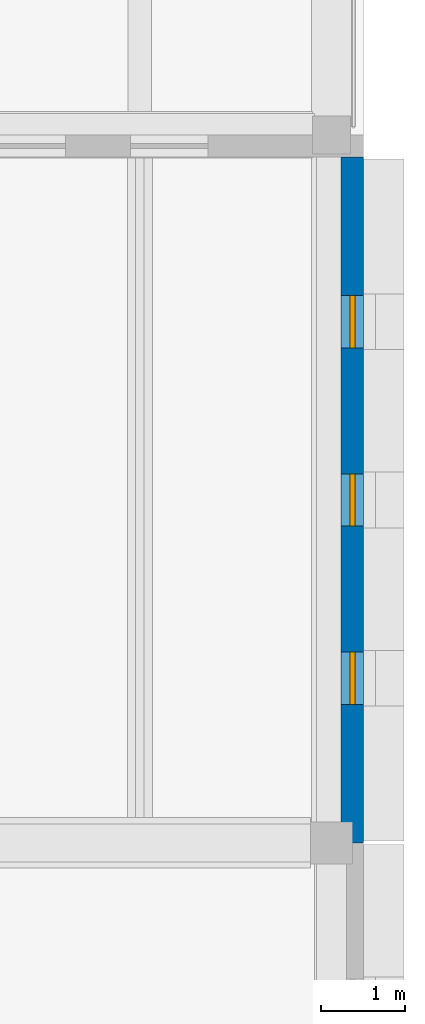
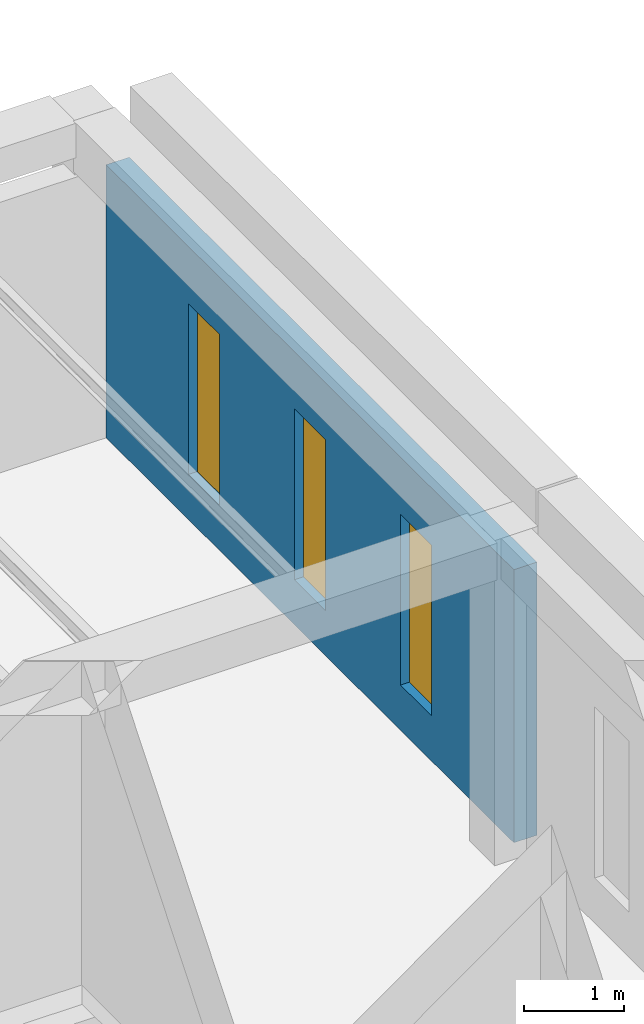
# One storey, part 26 of 34: 3 windows, 1 wall, 3 openings.
"""IFC4 building model written with IfcOpenShell, lengths in metres."""

from ifc_helpers import new_model, si_unit, direction, frame, frame_2d, origin, place, context, subcontext, project, spatial, rectangle, extrude, material, layer, layer_set, type_object, element, fill, save


model = new_model("IFC4")

# Units and contexts
model_context = context("Model", 3, precision=1e-05, world=origin(), true_north=direction((0.0, 1.0)))
body_context = subcontext(model_context, "Body", "Model", "MODEL_VIEW")
ifc_project = project(units=[si_unit("LENGTHUNIT", "METRE"), si_unit("AREAUNIT", "SQUARE_METRE"), si_unit("VOLUMEUNIT", "CUBIC_METRE"), si_unit("PLANEANGLEUNIT", "RADIAN"), si_unit("MASSUNIT", "GRAM", prefix="KILO")], contexts=[model_context])

# Site, building, storey
site_placement = place(None, origin())
site = spatial("IfcSite", under=ifc_project, at=site_placement, CompositionType="ELEMENT")
building_placement = place(site_placement, origin())
building = spatial("IfcBuilding", under=site, at=building_placement, Name="Vardoun Plaza Health Centre", CompositionType="ELEMENT")
storey_placement = place(building_placement, frame((0.0, 0.0, 12.89990234375)))
storey = spatial("IfcBuildingStorey", under=building, at=storey_placement, Name="L03", CompositionType="ELEMENT", Elevation=12.89990234375)

# Wall, openings, windows
ifc_material_1 = material(Name="Pale Limestone Concrete C35/45", Category="masonry")
ifc_layer = layer(ifc_material_1, 0.264892578125)
ifc_layer_set = layer_set([ifc_layer], Name="Pale Limestone Concrete C35/45")
wall_type = type_object("IfcWallType", Name="EW-06", PredefinedType="STANDARD", material=ifc_layer_set)
wall_placement = place(storey_placement, frame((165.16748046875, 52.8349609375, 0.0), z_axis=(0.0, 0.0, 1.0), x_axis=(0.0, -1.0, 0.0)))
wall = element("IfcWall", 1, at=wall_placement, inside=storey, type_object=wall_type, Name="V6 L03 Exterior Wall EW-V6-447", PredefinedType="STANDARD", context=body_context, shape_type="SweptSolid", body=[
    extrude(rectangle(XDim=8.135009765625, YDim=0.264892578125, at=frame_2d((4.0673828125, 0.0))), origin(), (0.0, 0.0, 1.0), 3.3251953125),
])
opening_1_placement = place(wall_placement, frame((1.642333984375, 0.0, 0.550048828125)))
opening_1 = element("IfcOpeningElement", 2, at=opening_1_placement, cuts=wall, Name="Opening W-21-017", PredefinedType="OPENING", context=body_context, shape_type="SweptSolid", body=[
    extrude(rectangle(XDim=0.6201171875, YDim=2.080078125, at=frame_2d((0.31005859375, 1.0400390625))), frame((0.0, 0.13232421875, 0.0), z_axis=(0.0, -1.0, 0.0), x_axis=(1.0, 0.0, 0.0)), (0.0, 0.0, 1.0), 0.264892578125),
])
opening_2_placement = place(wall_placement, frame((3.757568359375, 0.0, 0.550048828125)))
opening_2 = element("IfcOpeningElement", 3, at=opening_2_placement, cuts=wall, Name="Opening W-21-018", PredefinedType="OPENING", context=body_context, shape_type="SweptSolid", body=[
    extrude(rectangle(XDim=0.6201171875, YDim=2.080078125, at=frame_2d((0.31005859375, 1.0400390625))), frame((0.0, 0.13232421875, 0.0), z_axis=(0.0, -1.0, 0.0), x_axis=(1.0, 0.0, 0.0)), (0.0, 0.0, 1.0), 0.264892578125),
])
opening_3_placement = place(wall_placement, frame((5.87255859375, 0.0, 0.550048828125)))
opening_3 = element("IfcOpeningElement", 4, at=opening_3_placement, cuts=wall, Name="Opening W-21-019", PredefinedType="OPENING", context=body_context, shape_type="SweptSolid", body=[
    extrude(rectangle(XDim=0.6201171875, YDim=2.080078125, at=frame_2d((0.31005859375, 1.0400390625))), frame((0.0, 0.13232421875, 0.0), z_axis=(0.0, -1.0, 0.0), x_axis=(1.0, 0.0, 0.0)), (0.0, 0.0, 1.0), 0.264892578125),
])
ifc_material_2 = material(Name="Aluminium Alloy EN AW-6063-T6 and Low-E Glass", Category="aluminium")
window_type = type_object("IfcWindowType", Name="W-21", PartitioningType="SINGLE_PANEL", PredefinedType="WINDOW", material=ifc_material_2)
window_1_placement = place(opening_1_placement, origin())
window_1 = element("IfcWindow", 5, at=window_1_placement, inside=storey, type_object=window_type, Name="V6 L03 Deep-Punched Slot Window W-21-698", OverallHeight=2.080078125, OverallWidth=0.6201171875, PartitioningType="SINGLE_PANEL", PredefinedType="WINDOW", context=body_context, shape_type="SweptSolid", body=[
    extrude(rectangle(XDim=0.6201171875, YDim=2.080078125, at=frame_2d((0.31005859375, 1.0400390625))), frame((0.0, 0.030029296875, 0.0), z_axis=(0.0, -1.0, 0.0), x_axis=(1.0, 0.0, 0.0)), (0.0, 0.0, 1.0), 0.06005859375),
])
fill(opening_1, window_1)
window_2_placement = place(opening_2_placement, origin())
window_2 = element("IfcWindow", 6, at=window_2_placement, inside=storey, type_object=window_type, Name="V6 L03 Deep-Punched Slot Window W-21-699", OverallHeight=2.080078125, OverallWidth=0.6201171875, PartitioningType="SINGLE_PANEL", PredefinedType="WINDOW", context=body_context, shape_type="SweptSolid", body=[
    extrude(rectangle(XDim=0.6201171875, YDim=2.080078125, at=frame_2d((0.31005859375, 1.0400390625))), frame((0.0, 0.030029296875, 0.0), z_axis=(0.0, -1.0, 0.0), x_axis=(1.0, 0.0, 0.0)), (0.0, 0.0, 1.0), 0.06005859375),
])
fill(opening_2, window_2)
window_3_placement = place(opening_3_placement, origin())
window_3 = element("IfcWindow", 7, at=window_3_placement, inside=storey, type_object=window_type, Name="V6 L03 Deep-Punched Slot Window W-21-700", OverallHeight=2.080078125, OverallWidth=0.6201171875, PartitioningType="SINGLE_PANEL", PredefinedType="WINDOW", context=body_context, shape_type="SweptSolid", body=[
    extrude(rectangle(XDim=0.6201171875, YDim=2.080078125, at=frame_2d((0.31005859375, 1.0400390625))), frame((0.0, 0.030029296875, 0.0), z_axis=(0.0, -1.0, 0.0), x_axis=(1.0, 0.0, 0.0)), (0.0, 0.0, 1.0), 0.06005859375),
])
fill(opening_3, window_3)

save(model, "model.ifc")
